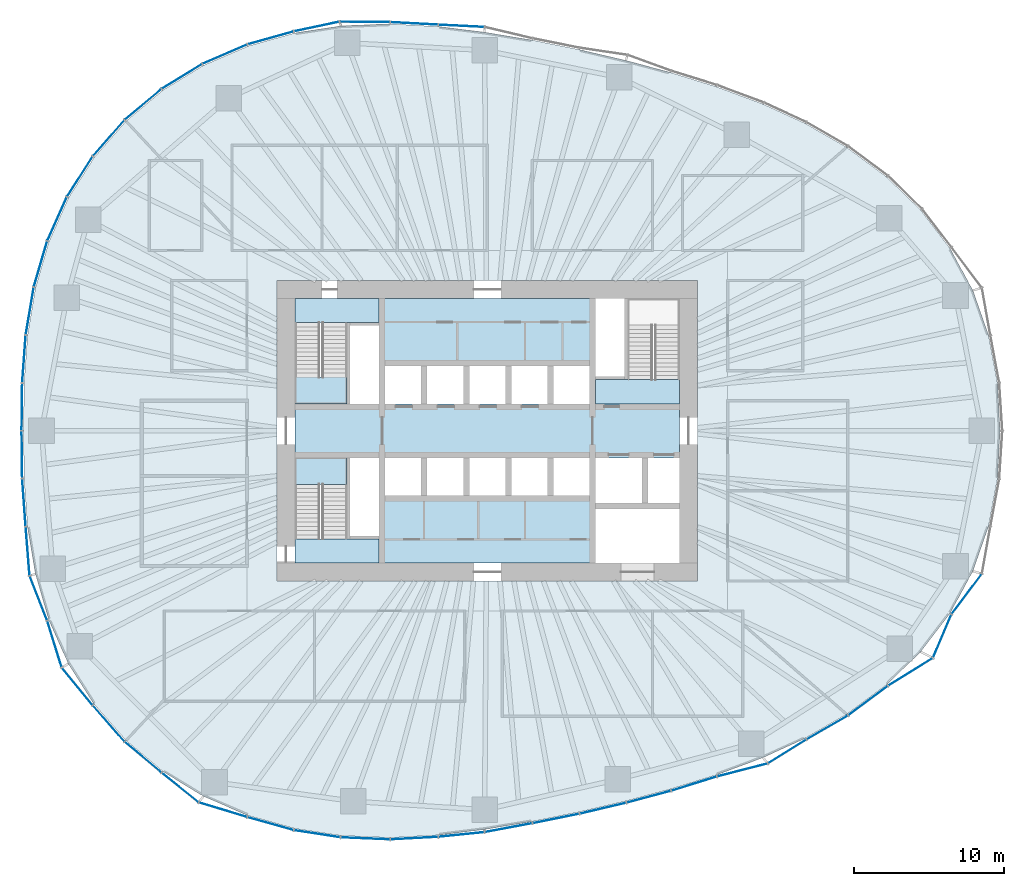
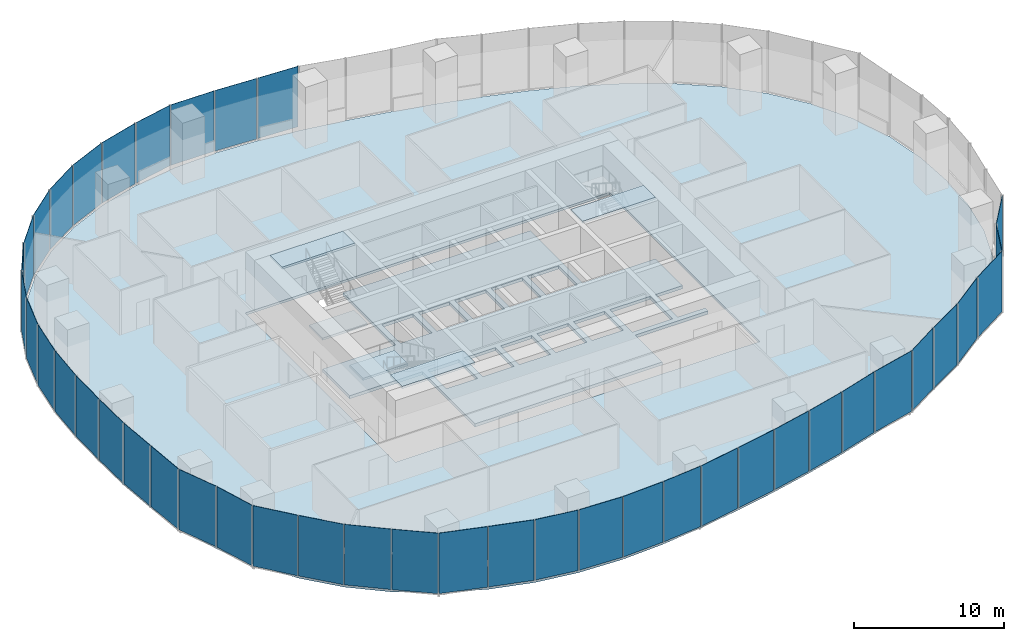
# One storey, part 8 of 20: 42 plates, 7 slabs, 17 elements without a shape of their own.
"""IFC4 building model written with IfcOpenShell, lengths in metres."""

import ifcopenshell
import ifcopenshell.guid

model = None  # the IFC model being written
_history = None  # IfcOwnerHistory: only IFC2X3 demands one
_inside = {}  # id of a spatial element -> (the spatial element, [elements in it])
_under = {}  # id of a project, library or spatial element -> (it, [spatial elements below it])
_declared = {}  # id of a project -> (the project, [libraries it declares])
_typed = {}  # id of a type object -> (the type object, [elements of that type])
_made_of = {}  # id of a material, layer set ... -> (it, [elements and type objects made of it])


def new_model(schema):
    """Start an empty IFC model of exactly this schema.

    Asked for "IFC4X3", IfcOpenShell would pick the latest addendum, in which some entities
    have other attributes; the version numbers below select the first issue.
    IFC2X3 requires an IfcOwnerHistory on every rooted entity: one is made here for all.
    """
    global model, _history
    if schema == "IFC4X3":
        model = ifcopenshell.file(schema_version=(4, 3, 0, 0))
    else:
        model = ifcopenshell.file(schema=schema)
    _inside.clear()
    _under.clear()
    _declared.clear()
    _typed.clear()
    _made_of.clear()
    _history = None
    if model.schema == "IFC2X3":
        org = make("IfcOrganization", Name="unknown")
        user = make(
            "IfcPersonAndOrganization",
            ThePerson=make("IfcPerson", FamilyName="unknown"),
            TheOrganization=org,
        )
        app = make(
            "IfcApplication",
            ApplicationDeveloper=org,
            Version="unknown",
            ApplicationFullName="unknown",
            ApplicationIdentifier="unknown",
        )
        _history = make(
            "IfcOwnerHistory",
            OwningUser=user,
            OwningApplication=app,
            ChangeAction="ADDED",
            CreationDate=0,
        )
    return model


def make(cls, **values):
    """One entity of the class cls with the attributes given. An attribute that is None is left unset."""
    return model.create_entity(
        cls, **{name: value for name, value in values.items() if value is not None}
    )


def rooted(cls, **values):
    """An entity with a GlobalId (a new one), such as an element, a storey or a relation."""
    return make(cls, GlobalId=ifcopenshell.guid.new(), OwnerHistory=_history, **values)


def si_unit(unit_type, name, prefix=None):
    """IfcSIUnit, for example si_unit("LENGTHUNIT", "METRE", prefix="MILLI")."""
    return make("IfcSIUnit", UnitType=unit_type, Prefix=prefix, Name=name)


def assignment(units):
    """IfcUnitAssignment: the units of a project."""
    return None if units is None else make("IfcUnitAssignment", Units=units)


def point(xyz):
    """IfcCartesianPoint."""
    return None if xyz is None else make("IfcCartesianPoint", Coordinates=xyz)


def direction(xyz):
    """IfcDirection."""
    return None if xyz is None else make("IfcDirection", DirectionRatios=xyz)


def frame(location, z_axis=None, x_axis=None):
    """IfcAxis2Placement3D, a coordinate frame: its origin and axes. An axis left out is left unset."""
    return make(
        "IfcAxis2Placement3D",
        Location=point(location),
        Axis=direction(z_axis),
        RefDirection=direction(x_axis),
    )


def frame_2d(location, x_axis=None):
    """IfcAxis2Placement2D, a coordinate frame in the plane: its origin and x axis."""
    return make(
        "IfcAxis2Placement2D", Location=point(location), RefDirection=direction(x_axis)
    )


def origin():
    """The frame at (0, 0, 0) with its axes left unset."""
    return frame((0.0, 0.0, 0.0))


def origin_2d():
    """The frame at (0, 0) in the plane with its x axis left unset."""
    return frame_2d((0.0, 0.0))


def place(relative_to, where):
    """IfcLocalPlacement: puts the frame where relative to a parent placement (None: the world)."""
    return make(
        "IfcLocalPlacement", PlacementRelTo=relative_to, RelativePlacement=where
    )


def context(
    kind, dimensions, precision=None, world=None, true_north=None, identifier=None
):
    """IfcGeometricRepresentationContext, for example the 3D "Model" context."""
    return make(
        "IfcGeometricRepresentationContext",
        ContextIdentifier=identifier,
        ContextType=kind,
        CoordinateSpaceDimension=dimensions,
        Precision=precision,
        WorldCoordinateSystem=world,
        TrueNorth=true_north,
    )


def subcontext(parent, identifier, kind, view, scale=None):
    """IfcGeometricRepresentationSubContext, for example "Body" below "Model"."""
    return make(
        "IfcGeometricRepresentationSubContext",
        ContextIdentifier=identifier,
        ContextType=kind,
        ParentContext=parent,
        TargetScale=scale,
        TargetView=view,
    )


def project(units=None, contexts=None):
    """IfcProject with its units and contexts."""
    return rooted(
        "IfcProject",
        Name="project",
        RepresentationContexts=contexts,
        UnitsInContext=assignment(units),
    )


def spatial(cls, under=None, at=None, **own):
    """A site, building, storey or space (cls), placed at a placement, below another one or the project."""
    s = rooted(cls, ObjectPlacement=at, **own)
    if under is not None:
        _under.setdefault(under.id(), (under, []))[1].append(s)
    return s


def polyline(points):
    """IfcPolyline through the points."""
    return make("IfcPolyline", Points=[point(p) for p in points])


def profile(cls, at=None, kind="AREA", **sizes):
    """A parametric profile (cls). Its sizes go by their IFC names, for example OverallWidth=200.0."""
    return make(cls, ProfileType=kind, Position=at, **sizes)


def rectangle(**sizes):
    """IfcRectangleProfileDef."""
    return profile("IfcRectangleProfileDef", **sizes)


def outline(outer, holes=None, kind="AREA"):
    """IfcArbitraryClosedProfileDef: a profile drawn as a closed curve; with holes, ...WithVoids."""
    if holes is None:
        return make("IfcArbitraryClosedProfileDef", ProfileType=kind, OuterCurve=outer)
    return make(
        "IfcArbitraryProfileDefWithVoids",
        ProfileType=kind,
        OuterCurve=outer,
        InnerCurves=holes,
    )


def extrude(swept, where, along, depth):
    """IfcExtrudedAreaSolid: the profile swept, set in the frame where, extruded along a direction by depth."""
    return make(
        "IfcExtrudedAreaSolid",
        SweptArea=swept,
        Position=where,
        ExtrudedDirection=direction(along),
        Depth=depth,
    )


def shape(context_of_items, identifier, shape_type, items):
    """IfcShapeRepresentation: the items that make up one representation, for example the "Body"."""
    return make(
        "IfcShapeRepresentation",
        ContextOfItems=context_of_items,
        RepresentationIdentifier=identifier,
        RepresentationType=shape_type,
        Items=items,
    )


def material(Name=None, Category=None):
    """IfcMaterial."""
    return make("IfcMaterial", Name=Name, Category=Category)


def layer(
    of_material, thickness, ventilated=None, Name=None, Category=None, Priority=None
):
    """IfcMaterialLayer: one layer of a wall or slab, of a material (None: an air gap)."""
    return make(
        "IfcMaterialLayer",
        Material=of_material,
        LayerThickness=thickness,
        IsVentilated=ventilated,
        Name=Name,
        Category=Category,
        Priority=Priority,
    )


def layer_set(layers, Name=None):
    """IfcMaterialLayerSet."""
    return make("IfcMaterialLayerSet", MaterialLayers=layers, LayerSetName=Name)


def made_of(thing, what):
    """Note that an element or type object is made of a material, layer set ...; save() writes the relation."""
    if what is not None:
        _made_of.setdefault(what.id(), (what, []))[1].append(thing)
    return thing


def type_object(cls, material=None, **own):
    """A type object (cls), such as IfcWallType, which elements share."""
    return made_of(rooted(cls, **own), material)


def element(
    cls,
    number,
    at=None,
    inside=None,
    cuts=None,
    type_object=None,
    material=None,
    context=None,
    identifier="Body",
    shape_type=None,
    held_by="IfcProductDefinitionShape",
    body=None,
    shapes=None,
    **own,
):
    """One element of the class cls, such as IfcWall. Its Tag is "e" and its number.

    at: its placement. inside: the storey or other place that contains it. cuts: it is an
    opening in that element (IfcRelVoidsElement). A single representation is given by context,
    identifier, shape_type and body (its items); several are given by shapes. held_by: the class
    of the entity that holds the representations. save() writes the other relations.
    """
    e = rooted(cls, Tag="e%d" % number, ObjectPlacement=at, **own)
    if body is not None:
        shapes = [shape(context, identifier, shape_type, body)]
    if shapes is not None:
        e.Representation = make(held_by, Representations=shapes)
    if inside is not None:
        _inside.setdefault(inside.id(), (inside, []))[1].append(e)
    if cuts is not None:
        rooted(
            "IfcRelVoidsElement", RelatingBuildingElement=cuts, RelatedOpeningElement=e
        )
    if type_object is not None:
        _typed.setdefault(type_object.id(), (type_object, []))[1].append(e)
    return made_of(e, material)


def aggregate(whole, parts):
    """IfcRelAggregates: a whole, such as a stair, and the parts it consists of."""
    return rooted("IfcRelAggregates", RelatingObject=whole, RelatedObjects=parts)


def save(model, path):
    """Write the relations noted so far, then the file.

    IfcRelAggregates (storeys below a building ...), IfcRelContainedInSpatialStructure (elements
    in a storey), IfcRelDefinesByType, IfcRelAssociatesMaterial and IfcRelDeclares: one each for
    every whole, place, type object, material and project.
    """
    for whole, parts in _under.values():
        aggregate(whole, parts)
    for where, things in _inside.values():
        rooted(
            "IfcRelContainedInSpatialStructure",
            RelatedElements=things,
            RelatingStructure=where,
        )
    for kind, things in _typed.values():
        rooted("IfcRelDefinesByType", RelatedObjects=things, RelatingType=kind)
    for what, things in _made_of.values():
        rooted("IfcRelAssociatesMaterial", RelatedObjects=things, RelatingMaterial=what)
    for by, libraries in _declared.values():
        rooted("IfcRelDeclares", RelatingContext=by, RelatedDefinitions=libraries)
    model.write(path)


model = new_model("IFC4")

# Units and contexts
model_context = context("Model", 3, precision=1e-05, world=origin(), true_north=direction((0.0, 1.0)))
body_context = subcontext(model_context, "Body", "Model", "MODEL_VIEW")
ifc_project = project(units=[si_unit("LENGTHUNIT", "METRE"), si_unit("AREAUNIT", "SQUARE_METRE"), si_unit("VOLUMEUNIT", "CUBIC_METRE"), si_unit("PLANEANGLEUNIT", "RADIAN"), si_unit("MASSUNIT", "GRAM", prefix="KILO")], contexts=[model_context])

# Site, building, storey
site_placement = place(None, origin())
site = spatial("IfcSite", under=ifc_project, at=site_placement, CompositionType="ELEMENT")
building_placement = place(site_placement, origin())
building = spatial("IfcBuilding", under=site, at=building_placement, Name="Ghaith Harvest Tower", CompositionType="ELEMENT")
storey_placement = place(building_placement, frame((0.0, 0.0, 80.0)))
storey = spatial("IfcBuildingStorey", under=building, at=storey_placement, Name="L16", CompositionType="ELEMENT", Elevation=80.0)

# Curtain wall, plates
ifc_material_1 = material(Name="Black anodised aluminium and fritted glass", Category="aluminium")
curtain_wall_type = type_object("IfcCurtainWallType", Name="CW-F CURTAIN WALL", PredefinedType="NOTDEFINED", material=ifc_material_1)
curtain_wall_1_placement = place(storey_placement, origin())
curtain_wall_1 = element("IfcCurtainWall", 1, at=curtain_wall_1_placement, inside=storey, type_object=curtain_wall_type, Name="Curtain wall CW-F bay 06 L16", PredefinedType="NOTDEFINED")
ifc_material_2 = material(Name="Glass, high-transmission fritted double glazed unit", Category="glass")
ifc_layer_1 = layer(ifc_material_2, 0.028076171875)
ifc_layer_set_1 = layer_set([ifc_layer_1], Name="CW-F VISION PANEL")
plate_type = type_object("IfcPlateType", Name="CW-F VISION PANEL", PredefinedType="CURTAIN_PANEL", material=ifc_layer_set_1)
plate_1_placement = place(storey_placement, frame((-1.722900390625, 26.953369140625, 0.080078125), z_axis=(0.0, 0.0, 1.0), x_axis=(-0.998771443485, 0.049554048048, 0.0)))
plate_1 = element("IfcPlate", 2, at=plate_1_placement, type_object=plate_type, Name="CW-F panel 1 bay 06 L16", PredefinedType="CURTAIN_PANEL", context=body_context, shape_type="SweptSolid", body=[
    extrude(rectangle(XDim=3.001708984375, YDim=0.028076171875, at=origin_2d()), origin(), (0.0, 0.0, 1.0), 4.919921875),
])
plate_2_placement = place(storey_placement, frame((-4.863525390625, 27.11572265625, 0.080078125), z_axis=(0.0, 0.0, 1.0), x_axis=(-0.99856250263, 0.053599704667, 0.0)))
plate_2 = element("IfcPlate", 3, at=plate_2_placement, type_object=plate_type, Name="CW-F panel 2 bay 06 L16", PredefinedType="CURTAIN_PANEL", context=body_context, shape_type="SweptSolid", body=[
    extrude(rectangle(XDim=3.1279296875, YDim=0.028076171875, at=origin_2d()), origin(), (0.0, 0.0, 1.0), 4.919921875),
])
plate_3_placement = place(storey_placement, frame((-8.150390625, 27.217041015625, 0.080078125), z_axis=(0.0, 0.0, 1.0), x_axis=(-0.999959609481, 0.008987736446, 0.0)))
plate_3 = element("IfcPlate", 4, at=plate_3_placement, type_object=plate_type, Name="CW-F panel 3 bay 06 L16", PredefinedType="CURTAIN_PANEL", context=body_context, shape_type="SweptSolid", body=[
    extrude(rectangle(XDim=3.29052734375, YDim=0.028076171875, at=origin_2d()), origin(), (0.0, 0.0, 1.0), 4.919921875),
])
aggregate(curtain_wall_1, [plate_1, plate_2, plate_3])

curtain_wall_2_placement = place(storey_placement, origin())
curtain_wall_2 = element("IfcCurtainWall", 5, at=curtain_wall_2_placement, inside=storey, type_object=curtain_wall_type, Name="Curtain wall CW-F bay 07 L16", PredefinedType="NOTDEFINED")
plate_4_placement = place(storey_placement, frame((-11.358154296875, 26.908447265625, 0.080078125), z_axis=(0.0, 0.0, 1.0), x_axis=(-0.978149320779, -0.207903598476, 0.0)))
plate_4 = element("IfcPlate", 6, at=plate_4_placement, type_object=plate_type, Name="CW-F panel 1 bay 07 L16", PredefinedType="CURTAIN_PANEL", context=body_context, shape_type="SweptSolid", body=[
    extrude(rectangle(XDim=3.032958984375, YDim=0.028076171875, at=origin_2d()), origin(), (0.0, 0.0, 1.0), 4.919921875),
])
plate_5_placement = place(storey_placement, frame((-14.42578125, 26.150634765625, 0.080078125), z_axis=(0.0, 0.0, 1.0), x_axis=(-0.96272968243, -0.270465448012, 0.0)))
plate_5 = element("IfcPlate", 7, at=plate_5_placement, type_object=plate_type, Name="CW-F panel 2 bay 07 L16", PredefinedType="CURTAIN_PANEL", context=body_context, shape_type="SweptSolid", body=[
    extrude(rectangle(XDim=3.13037109375, YDim=0.028076171875, at=origin_2d()), origin(), (0.0, 0.0, 1.0), 4.919921875),
])
plate_6_placement = place(storey_placement, frame((-17.46923828125, 25.0693359375, 0.080078125), z_axis=(0.0, 0.0, 1.0), x_axis=(-0.918002845228, -0.396573796605, 0.0)))
plate_6 = element("IfcPlate", 8, at=plate_6_placement, type_object=plate_type, Name="CW-F panel 3 bay 07 L16", PredefinedType="CURTAIN_PANEL", context=body_context, shape_type="SweptSolid", body=[
    extrude(rectangle(XDim=3.18359375, YDim=0.028076171875, at=origin_2d()), origin(), (0.0, 0.0, 1.0), 4.919921875),
])
aggregate(curtain_wall_2, [plate_4, plate_5, plate_6])

curtain_wall_3_placement = place(storey_placement, origin())
curtain_wall_3 = element("IfcCurtainWall", 9, at=curtain_wall_3_placement, inside=storey, type_object=curtain_wall_type, Name="Curtain wall CW-F bay 08 L16", PredefinedType="NOTDEFINED")
plate_7_placement = place(storey_placement, frame((-20.324462890625, 23.590087890625, 0.080078125), z_axis=(0.0, 0.0, 1.0), x_axis=(-0.852527741552, -0.522681977769, 0.0)))
plate_7 = element("IfcPlate", 10, at=plate_7_placement, type_object=plate_type, Name="CW-F panel 1 bay 08 L16", PredefinedType="CURTAIN_PANEL", context=body_context, shape_type="SweptSolid", body=[
    extrude(rectangle(XDim=3.10400390625, YDim=0.028076171875, at=origin_2d()), origin(), (0.0, 0.0, 1.0), 4.919921875),
])
plate_8_placement = place(storey_placement, frame((-22.91064453125, 21.727294921875, 0.080078125), z_axis=(0.0, 0.0, 1.0), x_axis=(-0.766155215147, -0.642655573619, 0.0)))
plate_8 = element("IfcPlate", 11, at=plate_8_placement, type_object=plate_type, Name="CW-F panel 2 bay 08 L16", PredefinedType="CURTAIN_PANEL", context=body_context, shape_type="SweptSolid", body=[
    extrude(rectangle(XDim=3.1279296875, YDim=0.028076171875, at=origin_2d()), origin(), (0.0, 0.0, 1.0), 4.919921875),
])
plate_9_placement = place(storey_placement, frame((-25.201171875, 19.4853515625, 0.080078125), z_axis=(0.0, 0.0, 1.0), x_axis=(-0.659215937547, -0.751953687194, 0.0)))
plate_9 = element("IfcPlate", 12, at=plate_9_placement, type_object=plate_type, Name="CW-F panel 3 bay 08 L16", PredefinedType="CURTAIN_PANEL", context=body_context, shape_type="SweptSolid", body=[
    extrude(rectangle(XDim=3.1416015625, YDim=0.028076171875, at=origin_2d()), origin(), (0.0, 0.0, 1.0), 4.919921875),
])
aggregate(curtain_wall_3, [plate_7, plate_8, plate_9])

curtain_wall_4_placement = place(storey_placement, origin())
curtain_wall_4 = element("IfcCurtainWall", 13, at=curtain_wall_4_placement, inside=storey, type_object=curtain_wall_type, Name="Curtain wall CW-F bay 09 L16", PredefinedType="NOTDEFINED")
plate_10_placement = place(storey_placement, frame((-27.124755859375, 16.919677734375, 0.080078125), z_axis=(0.0, 0.0, 1.0), x_axis=(-0.536779195227, -0.843722759899, 0.0)))
plate_10 = element("IfcPlate", 14, at=plate_10_placement, type_object=plate_type, Name="CW-F panel 1 bay 09 L16", PredefinedType="CURTAIN_PANEL", context=body_context, shape_type="SweptSolid", body=[
    extrude(rectangle(XDim=3.13037109375, YDim=0.028076171875, at=origin_2d()), origin(), (0.0, 0.0, 1.0), 4.919921875),
])
plate_11_placement = place(storey_placement, frame((-28.639404296875, 14.100341796875, 0.080078125), z_axis=(0.0, 0.0, 1.0), x_axis=(-0.407134417018, -0.913368253488, 0.0)))
plate_11 = element("IfcPlate", 15, at=plate_11_placement, type_object=plate_type, Name="CW-F panel 2 bay 09 L16", PredefinedType="CURTAIN_PANEL", context=body_context, shape_type="SweptSolid", body=[
    extrude(rectangle(XDim=3.1279296875, YDim=0.028076171875, at=origin_2d()), origin(), (0.0, 0.0, 1.0), 4.919921875),
])
plate_12_placement = place(storey_placement, frame((-29.740478515625, 11.101318359375, 0.080078125), z_axis=(0.0, 0.0, 1.0), x_axis=(-0.280296918708, -0.959913348882, 0.0)))
plate_12 = element("IfcPlate", 16, at=plate_12_placement, type_object=plate_type, Name="CW-F panel 3 bay 09 L16", PredefinedType="CURTAIN_PANEL", context=body_context, shape_type="SweptSolid", body=[
    extrude(rectangle(XDim=3.1162109375, YDim=0.028076171875, at=origin_2d()), origin(), (0.0, 0.0, 1.0), 4.919921875),
])
aggregate(curtain_wall_4, [plate_10, plate_11, plate_12])

curtain_wall_5_placement = place(storey_placement, origin())
curtain_wall_5 = element("IfcCurtainWall", 17, at=curtain_wall_5_placement, inside=storey, type_object=curtain_wall_type, Name="Curtain wall CW-F bay 10 L16", PredefinedType="NOTDEFINED")
plate_13_placement = place(storey_placement, frame((-30.456298828125, 7.971435546875, 0.080078125), z_axis=(0.0, 0.0, 1.0), x_axis=(-0.165581316368, -0.986196140567, 0.0)))
plate_13 = element("IfcPlate", 18, at=plate_13_placement, type_object=plate_type, Name="CW-F panel 1 bay 10 L16", PredefinedType="CURTAIN_PANEL", context=body_context, shape_type="SweptSolid", body=[
    extrude(rectangle(XDim=3.156494140625, YDim=0.028076171875, at=origin_2d()), origin(), (0.0, 0.0, 1.0), 4.919921875),
])
plate_14_placement = place(storey_placement, frame((-30.84033203125, 4.77685546875, 0.080078125), z_axis=(0.0, 0.0, 1.0), x_axis=(-0.072420546123, -0.997374184797, 0.0)))
plate_14 = element("IfcPlate", 19, at=plate_14_placement, type_object=plate_type, Name="CW-F panel 2 bay 10 L16", PredefinedType="CURTAIN_PANEL", context=body_context, shape_type="SweptSolid", body=[
    extrude(rectangle(XDim=3.1259765625, YDim=0.028076171875, at=origin_2d()), origin(), (0.0, 0.0, 1.0), 4.919921875),
])
plate_15_placement = place(storey_placement, frame((-30.975830078125, 1.589111328125, 0.080078125), z_axis=(0.0, 0.0, 1.0), x_axis=(-0.012133206476, -0.999926389941, 0.0)))
plate_15 = element("IfcPlate", 20, at=plate_15_placement, type_object=plate_type, Name="CW-F panel 3 bay 10 L16", PredefinedType="CURTAIN_PANEL", context=body_context, shape_type="SweptSolid", body=[
    extrude(rectangle(XDim=3.09814453125, YDim=0.028076171875, at=origin_2d()), origin(), (0.0, 0.0, 1.0), 4.919921875),
])
aggregate(curtain_wall_5, [plate_13, plate_14, plate_15])

curtain_wall_6_placement = place(storey_placement, origin())
curtain_wall_6 = element("IfcCurtainWall", 21, at=curtain_wall_6_placement, inside=storey, type_object=curtain_wall_type, Name="Curtain wall CW-F bay 11 L16", PredefinedType="NOTDEFINED")
plate_16_placement = place(storey_placement, frame((-30.975830078125, -1.589111328125, 0.080078125), z_axis=(0.0, 0.0, 1.0), x_axis=(0.012133206773, -0.999926389937, 0.0)))
plate_16 = element("IfcPlate", 22, at=plate_16_placement, type_object=plate_type, Name="CW-F panel 1 bay 11 L16", PredefinedType="CURTAIN_PANEL", context=body_context, shape_type="SweptSolid", body=[
    extrude(rectangle(XDim=3.09814453125, YDim=0.028076171875, at=origin_2d()), origin(), (0.0, 0.0, 1.0), 4.919921875),
])
plate_17_placement = place(storey_placement, frame((-30.84033203125, -4.77685546875, 0.080078125), z_axis=(0.0, 0.0, 1.0), x_axis=(0.072420546349, -0.99737418478, 0.0)))
plate_17 = element("IfcPlate", 23, at=plate_17_placement, type_object=plate_type, Name="CW-F panel 2 bay 11 L16", PredefinedType="CURTAIN_PANEL", context=body_context, shape_type="SweptSolid", body=[
    extrude(rectangle(XDim=3.1259765625, YDim=0.028076171875, at=origin_2d()), origin(), (0.0, 0.0, 1.0), 4.919921875),
])
plate_18_placement = place(storey_placement, frame((-30.594482421875, -8.01513671875, 0.080078125), z_axis=(0.0, 0.0, 1.0), x_axis=(0.078867084181, -0.996885140341, 0.0)))
plate_18 = element("IfcPlate", 24, at=plate_18_placement, type_object=plate_type, Name="CW-F panel 3 bay 11 L16", PredefinedType="CURTAIN_PANEL", context=body_context, shape_type="SweptSolid", body=[
    extrude(rectangle(XDim=3.209716796875, YDim=0.028076171875, at=origin_2d()), origin(), (0.0, 0.0, 1.0), 4.919921875),
])
aggregate(curtain_wall_6, [plate_16, plate_17, plate_18])

curtain_wall_7_placement = place(storey_placement, origin())
curtain_wall_7 = element("IfcCurtainWall", 25, at=curtain_wall_7_placement, inside=storey, type_object=curtain_wall_type, Name="Curtain wall CW-F bay 12 L16", PredefinedType="NOTDEFINED")
plate_19_placement = place(storey_placement, frame((-29.878662109375, -11.14501953125, 0.080078125), z_axis=(0.0, 0.0, 1.0), x_axis=(0.366039738151, -0.930599220983, 0.0)))
plate_19 = element("IfcPlate", 26, at=plate_19_placement, type_object=plate_type, Name="CW-F panel 1 bay 12 L16", PredefinedType="CURTAIN_PANEL", context=body_context, shape_type="SweptSolid", body=[
    extrude(rectangle(XDim=3.122802734375, YDim=0.028076171875, at=origin_2d()), origin(), (0.0, 0.0, 1.0), 4.919921875),
])
plate_20_placement = place(storey_placement, frame((-28.809814453125, -14.195068359375, 0.080078125), z_axis=(0.0, 0.0, 1.0), x_axis=(0.295583054454, -0.95531704576, 0.0)))
plate_20 = element("IfcPlate", 27, at=plate_20_placement, type_object=plate_type, Name="CW-F panel 2 bay 12 L16", PredefinedType="CURTAIN_PANEL", context=body_context, shape_type="SweptSolid", body=[
    extrude(rectangle(XDim=3.185546875, YDim=0.028076171875, at=origin_2d()), origin(), (0.0, 0.0, 1.0), 4.919921875),
])
plate_21_placement = place(storey_placement, frame((-27.295166015625, -17.014404296875, 0.080078125), z_axis=(0.0, 0.0, 1.0), x_axis=(0.633789860881, -0.773505276158, 0.0)))
plate_21 = element("IfcPlate", 28, at=plate_21_placement, type_object=plate_type, Name="CW-F panel 3 bay 12 L16", PredefinedType="CURTAIN_PANEL", context=body_context, shape_type="SweptSolid", body=[
    extrude(rectangle(XDim=3.1767578125, YDim=0.028076171875, at=origin_2d()), origin(), (0.0, 0.0, 1.0), 4.919921875),
])
aggregate(curtain_wall_7, [plate_19, plate_20, plate_21])

curtain_wall_8_placement = place(storey_placement, origin())
curtain_wall_8 = element("IfcCurtainWall", 29, at=curtain_wall_8_placement, inside=storey, type_object=curtain_wall_type, Name="Curtain wall CW-F bay 13 L16", PredefinedType="NOTDEFINED")
plate_22_placement = place(storey_placement, frame((-25.201171875, -19.4853515625, 0.080078125), z_axis=(0.0, 0.0, 1.0), x_axis=(0.659215937337, -0.751953687378, 0.0)))
plate_22 = element("IfcPlate", 30, at=plate_22_placement, type_object=plate_type, Name="CW-F panel 1 bay 13 L16", PredefinedType="CURTAIN_PANEL", context=body_context, shape_type="SweptSolid", body=[
    extrude(rectangle(XDim=3.1416015625, YDim=0.028076171875, at=origin_2d()), origin(), (0.0, 0.0, 1.0), 4.919921875),
])
plate_23_placement = place(storey_placement, frame((-22.91064453125, -21.727294921875, 0.080078125), z_axis=(0.0, 0.0, 1.0), x_axis=(0.76615521545, -0.642655573258, 0.0)))
plate_23 = element("IfcPlate", 31, at=plate_23_placement, type_object=plate_type, Name="CW-F panel 2 bay 13 L16", PredefinedType="CURTAIN_PANEL", context=body_context, shape_type="SweptSolid", body=[
    extrude(rectangle(XDim=3.1279296875, YDim=0.028076171875, at=origin_2d()), origin(), (0.0, 0.0, 1.0), 4.919921875),
])
plate_24_placement = place(storey_placement, frame((-20.447265625, -23.748046875, 0.080078125), z_axis=(0.0, 0.0, 1.0), x_axis=(0.780122054158, -0.625627349639, 0.0)))
plate_24 = element("IfcPlate", 32, at=plate_24_placement, type_object=plate_type, Name="CW-F panel 3 bay 13 L16", PredefinedType="CURTAIN_PANEL", context=body_context, shape_type="SweptSolid", body=[
    extrude(rectangle(XDim=3.085205078125, YDim=0.028076171875, at=origin_2d()), origin(), (0.0, 0.0, 1.0), 4.919921875),
])
aggregate(curtain_wall_8, [plate_22, plate_23, plate_24])

curtain_wall_9_placement = place(storey_placement, origin())
curtain_wall_9 = element("IfcCurtainWall", 33, at=curtain_wall_9_placement, inside=storey, type_object=curtain_wall_type, Name="Curtain wall CW-F bay 14 L16", PredefinedType="NOTDEFINED")
plate_25_placement = place(storey_placement, frame((-17.591796875, -25.227294921875, 0.080078125), z_axis=(0.0, 0.0, 1.0), x_axis=(0.95734234218, -0.288956121011, 0.0)))
plate_25 = element("IfcPlate", 34, at=plate_25_placement, type_object=plate_type, Name="CW-F panel 1 bay 14 L16", PredefinedType="CURTAIN_PANEL", context=body_context, shape_type="SweptSolid", body=[
    extrude(rectangle(XDim=3.3056640625, YDim=0.028076171875, at=origin_2d()), origin(), (0.0, 0.0, 1.0), 4.919921875),
])
plate_26_placement = place(storey_placement, frame((-14.42578125, -26.150634765625, 0.080078125), z_axis=(0.0, 0.0, 1.0), x_axis=(0.962729682704, -0.270465447038, 0.0)))
plate_26 = element("IfcPlate", 35, at=plate_26_placement, type_object=plate_type, Name="CW-F panel 2 bay 14 L16", PredefinedType="CURTAIN_PANEL", context=body_context, shape_type="SweptSolid", body=[
    extrude(rectangle(XDim=3.13037109375, YDim=0.028076171875, at=origin_2d()), origin(), (0.0, 0.0, 1.0), 4.919921875),
])
plate_27_placement = place(storey_placement, frame((-11.327392578125, -26.82373046875, 0.080078125), z_axis=(0.0, 0.0, 1.0), x_axis=(0.98836987371, -0.152069039392, 0.0)))
plate_27 = element("IfcPlate", 36, at=plate_27_placement, type_object=plate_type, Name="CW-F panel 3 bay 14 L16", PredefinedType="CURTAIN_PANEL", context=body_context, shape_type="SweptSolid", body=[
    extrude(rectangle(XDim=3.0625, YDim=0.028076171875, at=origin_2d()), origin(), (0.0, 0.0, 1.0), 4.919921875),
])
aggregate(curtain_wall_9, [plate_25, plate_26, plate_27])

curtain_wall_10_placement = place(storey_placement, origin())
curtain_wall_10 = element("IfcCurtainWall", 37, at=curtain_wall_10_placement, inside=storey, type_object=curtain_wall_type, Name="Curtain wall CW-F bay 15 L16", PredefinedType="NOTDEFINED")
plate_28_placement = place(storey_placement, frame((-8.119873046875, -27.13232421875, 0.080078125), z_axis=(0.0, 0.0, 1.0), x_axis=(0.999118988518, -0.041967210794, 0.0)))
plate_28 = element("IfcPlate", 38, at=plate_28_placement, type_object=plate_type, Name="CW-F panel 1 bay 15 L16", PredefinedType="CURTAIN_PANEL", context=body_context, shape_type="SweptSolid", body=[
    extrude(rectangle(XDim=3.232177734375, YDim=0.028076171875, at=origin_2d()), origin(), (0.0, 0.0, 1.0), 4.919921875),
])
plate_29_placement = place(storey_placement, frame((-4.863525390625, -27.11572265625, 0.080078125), z_axis=(0.0, 0.0, 1.0), x_axis=(0.998562502616, 0.053599704928, 0.0)))
plate_29 = element("IfcPlate", 39, at=plate_29_placement, type_object=plate_type, Name="CW-F panel 2 bay 15 L16", PredefinedType="CURTAIN_PANEL", context=body_context, shape_type="SweptSolid", body=[
    extrude(rectangle(XDim=3.1279296875, YDim=0.028076171875, at=origin_2d()), origin(), (0.0, 0.0, 1.0), 4.919921875),
])
plate_30_placement = place(storey_placement, frame((-1.722412109375, -26.87353515625, 0.080078125), z_axis=(0.0, 0.0, 1.0), x_axis=(0.99488222177, 0.101041401443, 0.0)))
plate_30 = element("IfcPlate", 40, at=plate_30_placement, type_object=plate_type, Name="CW-F panel 3 bay 15 L16", PredefinedType="CURTAIN_PANEL", context=body_context, shape_type="SweptSolid", body=[
    extrude(rectangle(XDim=3.014892578125, YDim=0.028076171875, at=origin_2d()), origin(), (0.0, 0.0, 1.0), 4.919921875),
])
aggregate(curtain_wall_10, [plate_28, plate_29, plate_30])

curtain_wall_11_placement = place(storey_placement, origin())
curtain_wall_11 = element("IfcCurtainWall", 41, at=curtain_wall_11_placement, inside=storey, type_object=curtain_wall_type, Name="Curtain wall CW-F bay 16 L16", PredefinedType="NOTDEFINED")
plate_31_placement = place(storey_placement, frame((1.4130859375, -26.420166015625, 0.080078125), z_axis=(0.0, 0.0, 1.0), x_axis=(0.983131230266, 0.182901569365, 0.0)))
plate_31 = element("IfcPlate", 42, at=plate_31_placement, type_object=plate_type, Name="CW-F panel 1 bay 16 L16", PredefinedType="CURTAIN_PANEL", context=body_context, shape_type="SweptSolid", body=[
    extrude(rectangle(XDim=3.166748046875, YDim=0.028076171875, at=origin_2d()), origin(), (0.0, 0.0, 1.0), 4.919921875),
])
plate_32_placement = place(storey_placement, frame((4.5732421875, -25.809326171875, 0.080078125), z_axis=(0.0, 0.0, 1.0), x_axis=(0.98043234808, 0.196856320293, 0.0)))
plate_32 = element("IfcPlate", 43, at=plate_32_placement, type_object=plate_type, Name="CW-F panel 2 bay 16 L16", PredefinedType="CURTAIN_PANEL", context=body_context, shape_type="SweptSolid", body=[
    extrude(rectangle(XDim=3.1103515625, YDim=0.028076171875, at=origin_2d()), origin(), (0.0, 0.0, 1.0), 4.919921875),
])
plate_33_placement = place(storey_placement, frame((7.697265625, -25.129150390625, 0.080078125), z_axis=(0.0, 0.0, 1.0), x_axis=(0.973564757908, 0.228411169079, 0.0)))
plate_33 = element("IfcPlate", 44, at=plate_33_placement, type_object=plate_type, Name="CW-F panel 3 bay 16 L16", PredefinedType="CURTAIN_PANEL", context=body_context, shape_type="SweptSolid", body=[
    extrude(rectangle(XDim=3.125, YDim=0.028076171875, at=origin_2d()), origin(), (0.0, 0.0, 1.0), 4.919921875),
])
aggregate(curtain_wall_11, [plate_31, plate_32, plate_33])

curtain_wall_12_placement = place(storey_placement, origin())
curtain_wall_12 = element("IfcCurtainWall", 45, at=curtain_wall_12_placement, inside=storey, type_object=curtain_wall_type, Name="Curtain wall CW-F bay 17 L16", PredefinedType="NOTDEFINED")
plate_34_placement = place(storey_placement, frame((10.745849609375, -24.36376953125, 0.080078125), z_axis=(0.0, 0.0, 1.0), x_axis=(0.965848435029, 0.259107700681, 0.0)))
plate_34 = element("IfcPlate", 46, at=plate_34_placement, type_object=plate_type, Name="CW-F panel 1 bay 17 L16", PredefinedType="CURTAIN_PANEL", context=body_context, shape_type="SweptSolid", body=[
    extrude(rectangle(XDim=3.002197265625, YDim=0.028076171875, at=origin_2d()), origin(), (0.0, 0.0, 1.0), 4.919921875),
])
plate_35_placement = place(storey_placement, frame((13.760986328125, -23.490234375, 0.080078125), z_axis=(0.0, 0.0, 1.0), x_axis=(0.954988265447, 0.296643578827, 0.0)))
plate_35 = element("IfcPlate", 47, at=plate_35_placement, type_object=plate_type, Name="CW-F panel 2 bay 17 L16", PredefinedType="CURTAIN_PANEL", context=body_context, shape_type="SweptSolid", body=[
    extrude(rectangle(XDim=3.1171875, YDim=0.028076171875, at=origin_2d()), origin(), (0.0, 0.0, 1.0), 4.919921875),
])
plate_36_placement = place(storey_placement, frame((16.980712890625, -22.580322265625, 0.080078125), z_axis=(0.0, 0.0, 1.0), x_axis=(0.968451429434, 0.249202385275, 0.0)))
plate_36 = element("IfcPlate", 48, at=plate_36_placement, type_object=plate_type, Name="CW-F panel 3 bay 17 L16", PredefinedType="CURTAIN_PANEL", context=body_context, shape_type="SweptSolid", body=[
    extrude(rectangle(XDim=3.416748046875, YDim=0.028076171875, at=origin_2d()), origin(), (0.0, 0.0, 1.0), 4.919921875),
])
aggregate(curtain_wall_12, [plate_34, plate_35, plate_36])

curtain_wall_13_placement = place(storey_placement, origin())
curtain_wall_13 = element("IfcCurtainWall", 49, at=curtain_wall_13_placement, inside=storey, type_object=curtain_wall_type, Name="Curtain wall CW-F bay 18 L16", PredefinedType="NOTDEFINED")
plate_37_placement = place(storey_placement, frame((19.954833984375, -21.348876953125, 0.080078125), z_axis=(0.0, 0.0, 1.0), x_axis=(0.849360700005, 0.527812846837, 0.0)))
plate_37 = element("IfcPlate", 50, at=plate_37_placement, type_object=plate_type, Name="CW-F panel 1 bay 18 L16", PredefinedType="CURTAIN_PANEL", context=body_context, shape_type="SweptSolid", body=[
    extrude(rectangle(XDim=2.935791015625, YDim=0.028076171875, at=origin_2d()), origin(), (0.0, 0.0, 1.0), 4.919921875),
])
plate_38_placement = place(storey_placement, frame((22.626953125, -19.750244140625, 0.080078125), z_axis=(0.0, 0.0, 1.0), x_axis=(0.866159208454, 0.499768171866, 0.0)))
plate_38 = element("IfcPlate", 51, at=plate_38_placement, type_object=plate_type, Name="CW-F panel 2 bay 18 L16", PredefinedType="CURTAIN_PANEL", context=body_context, shape_type="SweptSolid", body=[
    extrude(rectangle(XDim=3.1328125, YDim=0.028076171875, at=origin_2d()), origin(), (0.0, 0.0, 1.0), 4.919921875),
])
plate_39_placement = place(storey_placement, frame((25.34619140625, -17.96142578125, 0.080078125), z_axis=(0.0, 0.0, 1.0), x_axis=(0.802866788713, 0.596158468515, 0.0)))
plate_39 = element("IfcPlate", 52, at=plate_39_placement, type_object=plate_type, Name="CW-F panel 3 bay 18 L16", PredefinedType="CURTAIN_PANEL", context=body_context, shape_type="SweptSolid", body=[
    extrude(rectangle(XDim=3.2275390625, YDim=0.028076171875, at=origin_2d()), origin(), (0.0, 0.0, 1.0), 4.919921875),
])
aggregate(curtain_wall_13, [plate_37, plate_38, plate_39])

curtain_wall_14_placement = place(storey_placement, origin())
curtain_wall_14 = element("IfcCurtainWall", 53, at=curtain_wall_14_placement, inside=storey, type_object=curtain_wall_type, Name="Curtain wall CW-F bay 19 L16", PredefinedType="NOTDEFINED")
plate_40_placement = place(storey_placement, frame((28.166748046875, -16.05126953125, 0.080078125), z_axis=(0.0, 0.0, 1.0), x_axis=(0.850245604669, 0.526386181184, 0.0)))
plate_40 = element("IfcPlate", 54, at=plate_40_placement, type_object=plate_type, Name="CW-F panel 1 bay 19 L16", PredefinedType="CURTAIN_PANEL", context=body_context, shape_type="SweptSolid", body=[
    extrude(rectangle(XDim=3.431884765625, YDim=0.028076171875, at=origin_2d()), origin(), (0.0, 0.0, 1.0), 4.919921875),
])
plate_41_placement = place(storey_placement, frame((30.2783203125, -13.6708984375, 0.080078125), z_axis=(0.0, 0.0, 1.0), x_axis=(0.390980294296, 0.920399049039, 0.0)))
plate_41 = element("IfcPlate", 55, at=plate_41_placement, type_object=plate_type, Name="CW-F panel 2 bay 19 L16", PredefinedType="CURTAIN_PANEL", context=body_context, shape_type="SweptSolid", body=[
    extrude(rectangle(XDim=3.083740234375, YDim=0.028076171875, at=origin_2d()), origin(), (0.0, 0.0, 1.0), 4.919921875),
])
plate_42_placement = place(storey_placement, frame((31.91015625, -10.865234375, 0.080078125), z_axis=(0.0, 0.0, 1.0), x_axis=(0.600454091429, 0.799659229976, 0.0)))
plate_42 = element("IfcPlate", 56, at=plate_42_placement, type_object=plate_type, Name="CW-F panel 3 bay 19 L16", PredefinedType="CURTAIN_PANEL", context=body_context, shape_type="SweptSolid", body=[
    extrude(rectangle(XDim=3.295654296875, YDim=0.028076171875, at=origin_2d()), origin(), (0.0, 0.0, 1.0), 4.919921875),
])
aggregate(curtain_wall_14, [plate_40, plate_41, plate_42])

# Slabs
ifc_material_3 = material(Name="Concrete C40/50", Category="concrete")
ifc_layer_2 = layer(ifc_material_3, 0.199951171875)
ifc_layer_set_2 = layer_set([ifc_layer_2], Name="FLOOR SLAB 200")
slab_type_1 = type_object("IfcSlabType", Name="FLOOR SLAB 200", PredefinedType="FLOOR", material=ifc_layer_set_2)
slab_1_placement = place(storey_placement, frame((0.0, 0.0, -0.199951171875)))
element("IfcSlab", 57, at=slab_1_placement, inside=storey, type_object=slab_type_1, Name="Floor slab L16", PredefinedType="FLOOR", context=body_context, shape_type="SweptSolid", body=[
    extrude(outline(polyline([(34.125, 0.0), (33.95849609375, 3.194091796875), (33.37158203125, 6.333984375), (32.318359375, 9.3408203125), (30.78515625, 12.1708984375), (28.840087890625, 14.708984375), (26.572509765625, 16.9111328125), (23.92431640625, 18.873046875), (21.149169921875, 20.469482421875), (18.34521484375, 21.7548828125), (15.22119140625, 22.916259765625), (12.1796875, 23.857666015625), (9.21533203125, 24.65087890625), (6.10888671875, 25.378662109375), (2.99560546875, 26.004150390625), (-0.181396484375, 26.527099609375), (-3.24755859375, 26.91064453125), (-6.4375, 27.0849609375), (-9.733642578125, 26.949951171875), (-12.828125, 26.476806640625), (-15.907958984375, 25.614501953125), (-18.8935546875, 24.32763671875), (-21.59912109375, 22.671142578125), (-24.04833984375, 20.618408203125), (-26.16455078125, 18.20556640625), (-27.881591796875, 15.507080078125), (-29.182373046875, 12.587890625), (-30.073974609375, 9.531005859375), (-30.606689453125, 6.35107421875), (-30.837158203125, 3.165771484375), (-30.875, 0.0), (-30.837158203125, -3.165771484375), (-30.606689453125, -6.35107421875), (-30.073974609375, -9.531005859375), (-29.182373046875, -12.587890625), (-27.881591796875, -15.507080078125), (-26.16455078125, -18.20556640625), (-24.04833984375, -20.618408203125), (-21.59912109375, -22.671142578125), (-18.8935546875, -24.32763671875), (-15.907958984375, -25.614501953125), (-12.828125, -26.476806640625), (-9.733642578125, -26.949951171875), (-6.4375, -27.0849609375), (-3.24755859375, -26.91064453125), (-0.181396484375, -26.527099609375), (2.99560546875, -26.004150390625), (6.10888671875, -25.378662109375), (9.21533203125, -24.65087890625), (12.1796875, -23.857666015625), (15.22119140625, -22.916259765625), (18.34521484375, -21.7548828125), (21.149169921875, -20.469482421875), (23.92431640625, -18.873046875), (26.572509765625, -16.9111328125), (28.840087890625, -14.708984375), (30.78515625, -12.1708984375), (32.318359375, -9.3408203125), (33.37158203125, -6.333984375), (33.95849609375, -3.194091796875), (34.125, 0.0)]), holes=[polyline([(-14.0, -10.0), (14.0, -10.0), (14.0, 10.0), (-14.0, 10.0), (-14.0, -10.0)])]), origin(), (0.0, 0.0, 1.0), 0.199951171875),
])
ifc_material_4 = material(Name="Concrete C40/50", Category="concrete")
ifc_layer_3 = layer(ifc_material_4, 0.25)
ifc_layer_set_3 = layer_set([ifc_layer_3], Name="FLOOR SLAB 250")
slab_type_2 = type_object("IfcSlabType", Name="FLOOR SLAB 250", PredefinedType="FLOOR", material=ifc_layer_set_3)
slab_2_placement = place(storey_placement, frame((0.0, 0.0, -0.25)))
element("IfcSlab", 58, at=slab_2_placement, inside=storey, type_object=slab_type_2, Name="Core slab L16", PredefinedType="FLOOR", context=body_context, shape_type="SweptSolid", body=[
    extrude(outline(polyline([(-12.800048828125, 1.800048828125), (-7.199951171875, 1.800048828125), (-7.199951171875, 8.800048828125), (7.199951171875, 8.800048828125), (7.199951171875, 1.800048828125), (12.800048828125, 1.800048828125), (12.800048828125, -1.800048828125), (10.699951171875, -1.800048828125), (10.699951171875, -4.800048828125), (12.800048828125, -4.800048828125), (12.800048828125, -5.199951171875), (7.199951171875, -5.199951171875), (7.199951171875, -8.800048828125), (-7.199951171875, -8.800048828125), (-7.199951171875, -1.800048828125), (-12.800048828125, -1.800048828125), (-12.800048828125, 1.800048828125)]), holes=[polyline([(-4.39990234375, -4.300048828125), (-4.39990234375, -1.800048828125), (-6.800048828125, -1.800048828125), (-6.800048828125, -4.300048828125), (-4.39990234375, -4.300048828125)]), polyline([(-1.60009765625, -4.300048828125), (-1.60009765625, -1.800048828125), (-4.0, -1.800048828125), (-4.0, -4.300048828125), (-1.60009765625, -4.300048828125)]), polyline([(1.199951171875, -4.300048828125), (1.199951171875, -1.800048828125), (-1.199951171875, -1.800048828125), (-1.199951171875, -4.300048828125), (1.199951171875, -4.300048828125)]), polyline([(-4.39990234375, 1.800048828125), (-4.39990234375, 4.300048828125), (-6.800048828125, 4.300048828125), (-6.800048828125, 1.800048828125), (-4.39990234375, 1.800048828125)]), polyline([(-1.60009765625, 1.800048828125), (-1.60009765625, 4.300048828125), (-4.0, 4.300048828125), (-4.0, 1.800048828125), (-1.60009765625, 1.800048828125)]), polyline([(1.199951171875, 1.800048828125), (1.199951171875, 4.300048828125), (-1.199951171875, 4.300048828125), (-1.199951171875, 1.800048828125), (1.199951171875, 1.800048828125)]), polyline([(10.300048828125, -4.800048828125), (10.300048828125, -1.800048828125), (7.199951171875, -1.800048828125), (7.199951171875, -4.800048828125), (10.300048828125, -4.800048828125)]), polyline([(4.0, -4.300048828125), (4.0, -1.800048828125), (1.60009765625, -1.800048828125), (1.60009765625, -4.300048828125), (4.0, -4.300048828125)]), polyline([(6.800048828125, -4.300048828125), (6.800048828125, -1.800048828125), (4.39990234375, -1.800048828125), (4.39990234375, -4.300048828125), (6.800048828125, -4.300048828125)]), polyline([(4.0, 1.800048828125), (4.0, 4.300048828125), (1.60009765625, 4.300048828125), (1.60009765625, 1.800048828125), (4.0, 1.800048828125)]), polyline([(6.800048828125, 1.800048828125), (6.800048828125, 4.300048828125), (4.39990234375, 4.300048828125), (4.39990234375, 1.800048828125), (6.800048828125, 1.800048828125)])]), origin(), (0.0, 0.0, 1.0), 0.25),
])

# Stair, slabs
ifc_material_5 = material(Name="Concrete C40/50, precast", Category="concrete")
stair_type = type_object("IfcStairType", Name="CORE STAIR 28R", PredefinedType="HALF_TURN_STAIR", material=ifc_material_5)
stair_1_placement = place(storey_placement, origin())
stair_1 = element("IfcStair", 59, at=stair_1_placement, inside=storey, type_object=stair_type, Name="Stair ST1 L16", PredefinedType="HALF_TURN_STAIR")
ifc_material_6 = material(Name="Concrete C40/50, precast", Category="concrete")
ifc_layer_4 = layer(ifc_material_6, 0.179931640625)
ifc_layer_set_4 = layer_set([ifc_layer_4], Name="STAIR LANDING 180")
slab_type_3 = type_object("IfcSlabType", Name="STAIR LANDING 180", PredefinedType="LANDING", material=ifc_layer_set_4)
slab_3_placement = place(storey_placement, frame((0.0, 0.0, 2.320068359375)))
slab_3 = element("IfcSlab", 60, at=slab_3_placement, type_object=slab_type_3, Name="ST1 landing 1", PredefinedType="LANDING", context=body_context, shape_type="SweptSolid", body=[
    extrude(outline(polyline([(-12.800048828125, 3.580078125), (-12.800048828125, 1.800048828125), (-9.35009765625, 1.800048828125), (-9.35009765625, 3.580078125), (-12.800048828125, 3.580078125)])), origin(), (0.0, 0.0, 1.0), 0.179931640625),
])
slab_4_placement = place(storey_placement, frame((0.0, 0.0, 4.820068359375)))
slab_4 = element("IfcSlab", 61, at=slab_4_placement, type_object=slab_type_3, Name="ST1 landing 2", PredefinedType="LANDING", context=body_context, shape_type="SweptSolid", body=[
    extrude(outline(polyline([(-12.800048828125, 8.800048828125), (-12.800048828125, 7.199951171875), (-7.199951171875, 7.199951171875), (-7.199951171875, 8.800048828125), (-12.800048828125, 8.800048828125)])), origin(), (0.0, 0.0, 1.0), 0.179931640625),
])
aggregate(stair_1, [slab_3, slab_4])

stair_2_placement = place(storey_placement, origin())
stair_2 = element("IfcStair", 62, at=stair_2_placement, inside=storey, type_object=stair_type, Name="Stair ST3 L16", PredefinedType="HALF_TURN_STAIR")
slab_5_placement = place(storey_placement, frame((0.0, 0.0, 2.320068359375)))
slab_5 = element("IfcSlab", 63, at=slab_5_placement, type_object=slab_type_3, Name="ST3 landing 1", PredefinedType="LANDING", context=body_context, shape_type="SweptSolid", body=[
    extrude(outline(polyline([(-12.800048828125, -3.580078125), (-12.800048828125, -1.800048828125), (-9.35009765625, -1.800048828125), (-9.35009765625, -3.580078125), (-12.800048828125, -3.580078125)])), origin(), (0.0, 0.0, 1.0), 0.179931640625),
])
slab_6_placement = place(storey_placement, frame((0.0, 0.0, 4.820068359375)))
slab_6 = element("IfcSlab", 64, at=slab_6_placement, type_object=slab_type_3, Name="ST3 landing 2", PredefinedType="LANDING", context=body_context, shape_type="SweptSolid", body=[
    extrude(outline(polyline([(-12.800048828125, -8.800048828125), (-12.800048828125, -7.199951171875), (-7.199951171875, -7.199951171875), (-7.199951171875, -8.800048828125), (-12.800048828125, -8.800048828125)])), origin(), (0.0, 0.0, 1.0), 0.179931640625),
])
aggregate(stair_2, [slab_5, slab_6])

# Stair, slab
stair_3_placement = place(storey_placement, origin())
stair_3 = element("IfcStair", 65, at=stair_3_placement, inside=storey, type_object=stair_type, Name="Stair ST2 L16", PredefinedType="HALF_TURN_STAIR")
slab_7_placement = place(storey_placement, frame((0.0, 0.0, 4.820068359375)))
slab_7 = element("IfcSlab", 66, at=slab_7_placement, type_object=slab_type_3, Name="ST2 landing 2", PredefinedType="LANDING", context=body_context, shape_type="SweptSolid", body=[
    extrude(outline(polyline([(12.800048828125, 1.800048828125), (12.800048828125, 3.39990234375), (7.199951171875, 3.39990234375), (7.199951171875, 1.800048828125), (12.800048828125, 1.800048828125)])), origin(), (0.0, 0.0, 1.0), 0.179931640625),
])
aggregate(stair_3, [slab_7])

save(model, "model.ifc")
